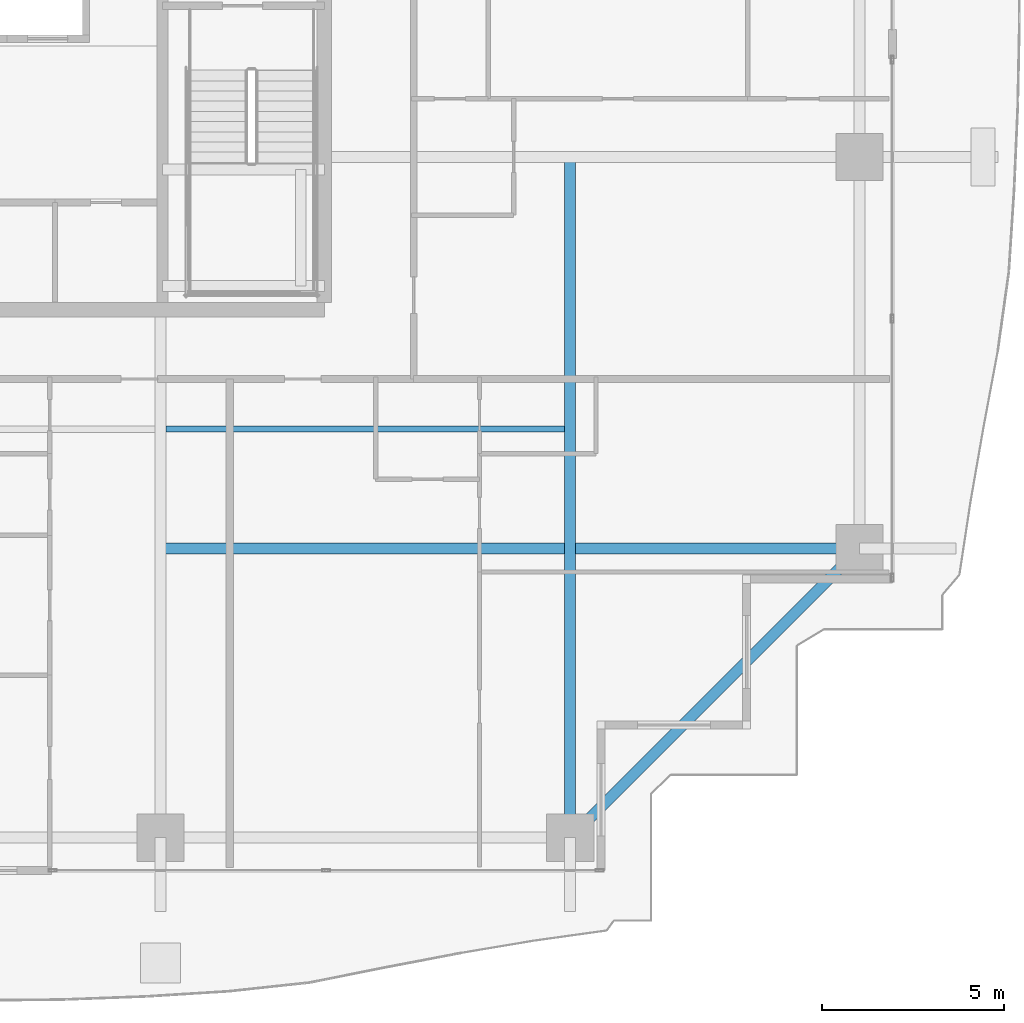
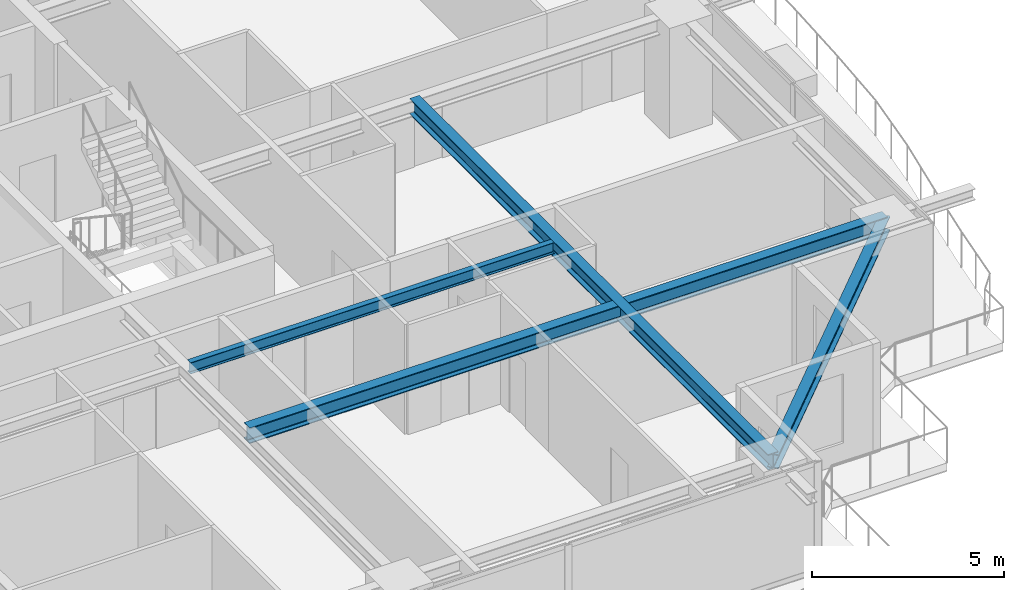
# One storey, part 11 of 35: 4 beams.
"""IFC4 building model written with IfcOpenShell, lengths in metres."""

from ifc_helpers import new_model, si_unit, direction, frame, origin, origin_2d, place, context, subcontext, project, spatial, i_section, extrude, source, transform, mapped, material, material_profile, profile_set, type_object, element, save


model = new_model("IFC4")

# Units and contexts
model_context = context("Model", 3, precision=1e-05, world=origin(), true_north=direction((0.0, 1.0)))
body_context = subcontext(model_context, "Body", "Model", "MODEL_VIEW")
ifc_project = project(units=[si_unit("LENGTHUNIT", "METRE"), si_unit("AREAUNIT", "SQUARE_METRE"), si_unit("VOLUMEUNIT", "CUBIC_METRE"), si_unit("PLANEANGLEUNIT", "RADIAN"), si_unit("MASSUNIT", "GRAM", prefix="KILO")], contexts=[model_context])

# Site, building, storey
site_placement = place(None, origin())
site = spatial("IfcSite", under=ifc_project, at=site_placement, CompositionType="ELEMENT")
building_placement = place(site_placement, origin())
building = spatial("IfcBuilding", under=site, at=building_placement, Name="Serunith Strait Residences", CompositionType="ELEMENT")
storey_placement = place(building_placement, frame((0.0, 0.0, 191.39990234375)))
storey = spatial("IfcBuildingStorey", under=building, at=storey_placement, Name="L48", CompositionType="ELEMENT", Elevation=191.39990234375)

# Beams
ifc_material = material(Name="Steel S355J2", Category="steel")
ifc_material_profile_1 = material_profile(ifc_material, i_section(OverallWidth=0.300048828125, OverallDepth=0.5, WebThickness=0.014404296875, FlangeThickness=0.028076171875, FilletRadius=0.027099609375, at=origin_2d()), Name="HEB 500")
ifc_profile_set_1 = profile_set([ifc_material_profile_1], Name="Steel S355J2")
beam_type_1 = type_object("IfcBeamType", Name="BM-HEB500", PredefinedType="BEAM", material=ifc_profile_set_1)
shared_shape_1 = source(origin(), body_context, "Body", "SweptSolid", [
    extrude(i_section(OverallWidth=0.300048828125, OverallDepth=0.5, WebThickness=0.014404296875, FlangeThickness=0.028076171875, FilletRadius=0.027099609375, at=origin_2d()), origin(), (0.0, 0.0, 1.0), 18.699951171875),
])
beam_1_placement = place(storey_placement, frame((48.14990234375, 21.0, 3.237060546875), z_axis=(0.0, -1.0, 0.0), x_axis=(1.0, 0.0, 0.0)))
element("IfcBeam", 1, at=beam_1_placement, inside=storey, type_object=beam_type_1, Name="L48 Orthogonal Corner Girder TC-S4", PredefinedType="BEAM", context=body_context, shape_type="MappedRepresentation", body=[
    mapped(shared_shape_1, transform((0.0, 0.0, 0.0), scale=1.0)),
])
shared_shape_2 = source(origin(), body_context, "Body", "SweptSolid", [
    extrude(i_section(OverallWidth=0.300048828125, OverallDepth=0.5, WebThickness=0.014404296875, FlangeThickness=0.028076171875, FilletRadius=0.027099609375, at=origin_2d()), origin(), (0.0, 0.0, 1.0), 19.2001953125),
])
beam_2_placement = place(storey_placement, frame((36.89990234375, 10.25, 3.237060546875), z_axis=(1.0, 0.0, 0.0), x_axis=(0.0, 1.0, 0.0)))
element("IfcBeam", 2, at=beam_2_placement, inside=storey, type_object=beam_type_1, Name="L48 Orthogonal Corner Girder TC-E1", PredefinedType="BEAM", context=body_context, shape_type="MappedRepresentation", body=[
    mapped(shared_shape_2, transform((0.0, 0.0, 0.0), scale=1.0)),
])
ifc_material_profile_2 = material_profile(ifc_material, i_section(OverallWidth=0.300048828125, OverallDepth=0.449951171875, WebThickness=0.013916015625, FlangeThickness=0.02587890625, FilletRadius=0.027099609375, at=origin_2d()), Name="HEB 450")
ifc_profile_set_2 = profile_set([ifc_material_profile_2], Name="Steel S355J2")
beam_type_2 = type_object("IfcBeamType", Name="BM-HEB450", PredefinedType="BEAM", material=ifc_profile_set_2)
shared_shape_3 = source(origin(), body_context, "Body", "SweptSolid", [
    extrude(i_section(OverallWidth=0.300048828125, OverallDepth=0.449951171875, WebThickness=0.013916015625, FlangeThickness=0.02587890625, FilletRadius=0.027099609375, at=origin_2d()), origin(), (0.0, 0.0, 1.0), 11.2431640625),
])
beam_3_placement = place(storey_placement, frame((48.14990234375, 2.300048828125, 3.232177734375), z_axis=(0.707117638455, 0.707095923751, 0.0), x_axis=(-0.707095923751, 0.707117638455, 0.0)))
element("IfcBeam", 3, at=beam_3_placement, inside=storey, type_object=beam_type_2, Name="L48 Perimeter Ring Beam 04", PredefinedType="BEAM", context=body_context, shape_type="MappedRepresentation", body=[
    mapped(shared_shape_3, transform((0.0, 0.0, 0.0), scale=1.0)),
])
ifc_material_profile_3 = material_profile(ifc_material, i_section(OverallWidth=0.169921875, OverallDepth=0.360107421875, WebThickness=0.008056640625, FlangeThickness=0.0126953125, FilletRadius=0.01806640625, at=origin_2d()), Name="IPE 360")
ifc_profile_set_3 = profile_set([ifc_material_profile_3], Name="Steel S355J2")
beam_type_3 = type_object("IfcBeamType", Name="BM-IPE360", PredefinedType="JOIST", material=ifc_profile_set_3)
shared_shape_4 = source(origin(), body_context, "Body", "SweptSolid", [
    extrude(i_section(OverallWidth=0.169921875, OverallDepth=0.360107421875, WebThickness=0.008056640625, FlangeThickness=0.0126953125, FilletRadius=0.01806640625, at=origin_2d()), origin(), (0.0, 0.0, 1.0), 10.949951171875),
])
beam_4_placement = place(storey_placement, frame((37.050048828125, 13.52490234375, 3.30712890625), z_axis=(1.0, 0.0, 0.0), x_axis=(0.0, 1.0, 0.0)))
element("IfcBeam", 4, at=beam_4_placement, inside=storey, type_object=beam_type_3, Name="L48 Composite Floor Joist 03", PredefinedType="JOIST", context=body_context, shape_type="MappedRepresentation", body=[
    mapped(shared_shape_4, transform((0.0, 0.0, 0.0), scale=1.0)),
])

save(model, "model.ifc")
